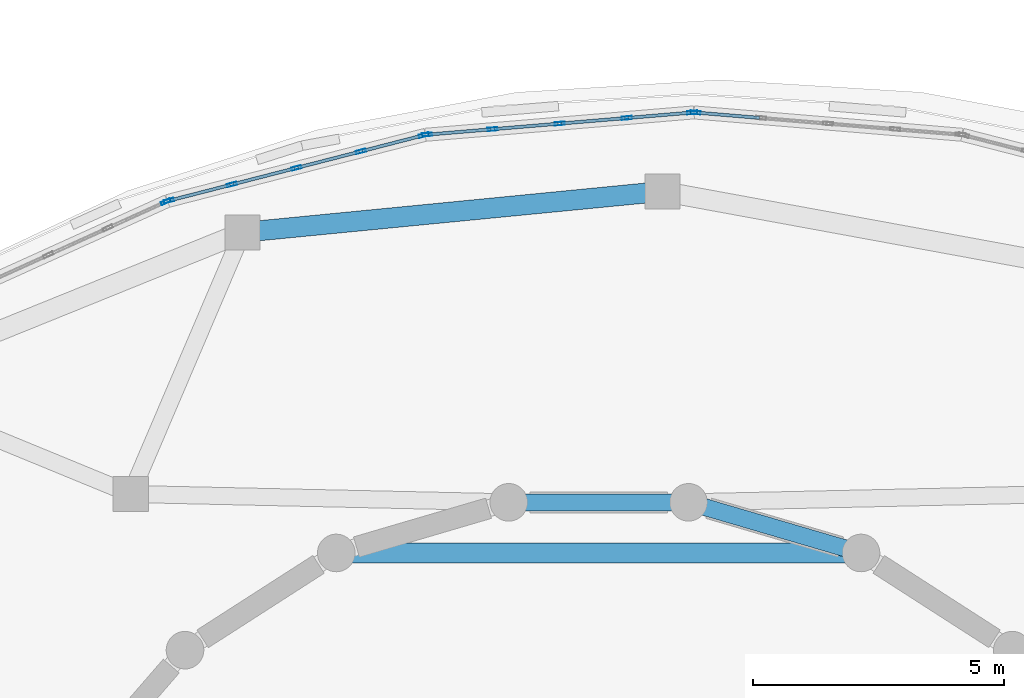
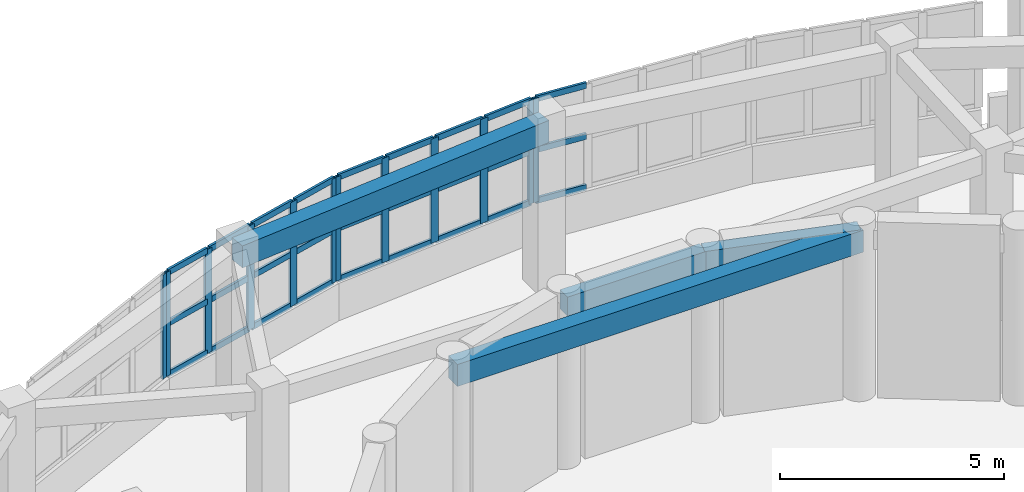
# One storey, part 44 of 98: 39 members, 4 beams, 4 elements without a shape of their own.
"""IFC4 building model written with IfcOpenShell, lengths in metres."""

from ifc_helpers import new_model, si_unit, direction, frame, origin, origin_2d, place, context, subcontext, project, spatial, rectangle, hollow_rectangle, extrude, material, layer, layer_set, material_profile, profile_set, type_object, element, aggregate, save


model = new_model("IFC4")

# Units and contexts
model_context = context("Model", 3, precision=1e-05, world=origin(), true_north=direction((0.0, 1.0)))
body_context = subcontext(model_context, "Body", "Model", "MODEL_VIEW")
ifc_project = project(units=[si_unit("LENGTHUNIT", "METRE"), si_unit("AREAUNIT", "SQUARE_METRE"), si_unit("VOLUMEUNIT", "CUBIC_METRE"), si_unit("PLANEANGLEUNIT", "RADIAN"), si_unit("MASSUNIT", "GRAM", prefix="KILO")], contexts=[model_context])

# Site, building, storey
site_placement = place(None, origin())
site = spatial("IfcSite", under=ifc_project, at=site_placement, CompositionType="ELEMENT")
building_placement = place(site_placement, origin())
building = spatial("IfcBuilding", under=site, at=building_placement, Name="Pelvatis Terrace Science Centre", CompositionType="ELEMENT")
storey_placement = place(building_placement, frame((0.0, 0.0, 5.39990234375)))
storey = spatial("IfcBuildingStorey", under=building, at=storey_placement, Name="L01", CompositionType="ELEMENT", Elevation=5.39990234375)

# Beams
ifc_material_1 = material(Name="Concrete C35/45", Category="concrete")
ifc_material_profile_1 = material_profile(ifc_material_1, rectangle(XDim=0.340087890625, YDim=0.52001953125, at=origin_2d()), Name="RC-BM 340x520")
ifc_profile_set_1 = profile_set([ifc_material_profile_1], Name="Concrete C35/45")
beam_type_1 = type_object("IfcBeamType", Name="BM-RC-340x520", PredefinedType="BEAM", material=ifc_profile_set_1)
beam_1_placement = place(storey_placement, frame((114.43408203125, 97.261474609375, 4.280029296875), z_axis=(-0.959499815423, 0.281709254734, 0.0), x_axis=(-0.281709254734, -0.959499815423, 0.0)))
element("IfcBeam", 1, at=beam_1_placement, inside=storey, type_object=beam_type_1, Name="Beam BM-L01-2543", PredefinedType="BEAM", context=body_context, shape_type="SweptSolid", body=[
    extrude(rectangle(XDim=0.340087890625, YDim=0.52001953125, at=origin_2d()), origin(), (0.0, 0.0, 1.0), 3.586181640625),
])
beam_2_placement = place(storey_placement, frame((110.9931640625, 98.271728515625, 4.280029296875), z_axis=(-1.0, 0.0, 0.0), x_axis=(0.0, -1.0, 0.0)))
element("IfcBeam", 2, at=beam_2_placement, inside=storey, type_object=beam_type_1, Name="Beam BM-L01-2545", PredefinedType="BEAM", context=body_context, shape_type="SweptSolid", body=[
    extrude(rectangle(XDim=0.340087890625, YDim=0.52001953125, at=origin_2d()), origin(), (0.0, 0.0, 1.0), 3.58642578125),
])
ifc_material_2 = material(Name="Concrete C35/45", Category="concrete")
ifc_material_profile_2 = material_profile(ifc_material_2, rectangle(XDim=0.39990234375, YDim=0.60009765625, at=origin_2d()), Name="RC-BM 400x600")
ifc_profile_set_2 = profile_set([ifc_material_profile_2], Name="Concrete C35/45")
beam_type_2 = type_object("IfcBeamType", Name="BM-RC-400x600", PredefinedType="BEAM", material=ifc_profile_set_2)
beam_3_placement = place(storey_placement, frame((114.43408203125, 97.261474609375, 4.239990234375), z_axis=(-1.0, 0.0, 0.0), x_axis=(0.0, -1.0, 0.0)))
element("IfcBeam", 3, at=beam_3_placement, inside=storey, type_object=beam_type_2, Name="Beam BM-L01-2544", PredefinedType="BEAM", context=body_context, shape_type="SweptSolid", body=[
    extrude(rectangle(XDim=0.39990234375, YDim=0.60009765625, at=origin_2d()), origin(), (0.0, 0.0, 1.0), 10.46826171875),
])
beam_4_placement = place(storey_placement, frame((110.4716796875, 104.4736328125, 4.239990234375), z_axis=(-0.995278052194, -0.097064920652, 0.0), x_axis=(0.097064920652, -0.995278052194, 0.0)))
element("IfcBeam", 4, at=beam_4_placement, inside=storey, type_object=beam_type_2, Name="Beam BM-L01-2630", PredefinedType="BEAM", context=body_context, shape_type="SweptSolid", body=[
    extrude(rectangle(XDim=0.39990234375, YDim=0.60009765625, at=origin_2d()), origin(), (0.0, 0.0, 1.0), 8.416015625),
])

# Curtain wall, member
ifc_material_3 = material(Name="Bronze-anodised aluminium and laminated glass", Category="aluminium")
ifc_layer = layer(ifc_material_3, 0.199951171875)
ifc_layer_set = layer_set([ifc_layer], Name="Bronze-anodised aluminium and laminated glass")
curtain_wall_type = type_object("IfcCurtainWallType", Name="CW-RIBBON-B", PredefinedType="NOTDEFINED", material=ifc_layer_set)
curtain_wall_1_placement = place(storey_placement, origin())
curtain_wall_1 = element("IfcCurtainWall", 5, at=curtain_wall_1_placement, inside=storey, type_object=curtain_wall_type, Name="Ribbon curtain wall CW-132 (L01)", PredefinedType="NOTDEFINED")
ifc_material_4 = material(Name="Bronze-anodised aluminium 6063-T6", Category="aluminium")
ifc_material_profile_3 = material_profile(ifc_material_4, hollow_rectangle(XDim=0.06494140625, YDim=0.199951171875, WallThickness=0.00439453125, at=origin_2d()), Name="ALU-MUL 65x200")
ifc_profile_set_3 = profile_set([ifc_material_profile_3], Name="Bronze-anodised aluminium 6063-T6")
member_type_1 = type_object("IfcMemberType", Name="CWM-65x200", PredefinedType="MULLION", material=ifc_profile_set_3)
member_1_placement = place(storey_placement, frame((111.13232421875, 106.04736328125, 1.02001953125), z_axis=(0.0, 0.0, 1.0), x_axis=(-0.083125561645, -0.996539081522, 0.0)))
member_1 = element("IfcMember", 6, at=member_1_placement, type_object=member_type_1, Name="CW-132 mullion 5", PredefinedType="MULLION", context=body_context, shape_type="SweptSolid", body=[
    extrude(hollow_rectangle(XDim=0.06494140625, YDim=0.199951171875, WallThickness=0.00439453125, at=origin_2d()), origin(), (0.0, 0.0, 1.0), 2.840087890625),
])

# Curtain wall, members
curtain_wall_2_placement = place(storey_placement, origin())
curtain_wall_2 = element("IfcCurtainWall", 7, at=curtain_wall_2_placement, inside=storey, type_object=curtain_wall_type, Name="Ribbon curtain wall CW-133 (L01)", PredefinedType="NOTDEFINED")
member_2_placement = place(storey_placement, frame((111.067626953125, 106.04736328125, 1.02001953125), z_axis=(0.0, 0.0, 1.0), x_axis=(0.083125561645, -0.996539081522, 0.0)))
member_2 = element("IfcMember", 8, at=member_2_placement, type_object=member_type_1, Name="CW-133 mullion 1", PredefinedType="MULLION", context=body_context, shape_type="SweptSolid", body=[
    extrude(hollow_rectangle(XDim=0.06494140625, YDim=0.199951171875, WallThickness=0.00439453125, at=origin_2d()), origin(), (0.0, 0.0, 1.0), 2.840087890625),
])
member_3_placement = place(storey_placement, frame((109.76123046875, 105.938232421875, 1.02001953125), z_axis=(0.0, 0.0, 1.0), x_axis=(0.083125561645, -0.996539081522, 0.0)))
member_3 = element("IfcMember", 9, at=member_3_placement, type_object=member_type_1, Name="CW-133 mullion 2", PredefinedType="MULLION", context=body_context, shape_type="SweptSolid", body=[
    extrude(hollow_rectangle(XDim=0.06494140625, YDim=0.199951171875, WallThickness=0.00439453125, at=origin_2d()), origin(), (0.0, 0.0, 1.0), 2.840087890625),
])
member_4_placement = place(storey_placement, frame((108.42236328125, 105.82666015625, 1.02001953125), z_axis=(0.0, 0.0, 1.0), x_axis=(0.083125561645, -0.996539081522, 0.0)))
member_4 = element("IfcMember", 10, at=member_4_placement, type_object=member_type_1, Name="CW-133 mullion 3", PredefinedType="MULLION", context=body_context, shape_type="SweptSolid", body=[
    extrude(hollow_rectangle(XDim=0.06494140625, YDim=0.199951171875, WallThickness=0.00439453125, at=origin_2d()), origin(), (0.0, 0.0, 1.0), 2.840087890625),
])
member_5_placement = place(storey_placement, frame((107.08349609375, 105.715087890625, 1.02001953125), z_axis=(0.0, 0.0, 1.0), x_axis=(0.083125561645, -0.996539081522, 0.0)))
member_5 = element("IfcMember", 11, at=member_5_placement, type_object=member_type_1, Name="CW-133 mullion 4", PredefinedType="MULLION", context=body_context, shape_type="SweptSolid", body=[
    extrude(hollow_rectangle(XDim=0.06494140625, YDim=0.199951171875, WallThickness=0.00439453125, at=origin_2d()), origin(), (0.0, 0.0, 1.0), 2.840087890625),
])
member_6_placement = place(storey_placement, frame((105.777099609375, 105.60595703125, 1.02001953125), z_axis=(0.0, 0.0, 1.0), x_axis=(0.083125561645, -0.996539081522, 0.0)))
member_6 = element("IfcMember", 12, at=member_6_placement, type_object=member_type_1, Name="CW-133 mullion 5", PredefinedType="MULLION", context=body_context, shape_type="SweptSolid", body=[
    extrude(hollow_rectangle(XDim=0.06494140625, YDim=0.199951171875, WallThickness=0.00439453125, at=origin_2d()), origin(), (0.0, 0.0, 1.0), 2.840087890625),
])

curtain_wall_3_placement = place(storey_placement, origin())
curtain_wall_3 = element("IfcCurtainWall", 13, at=curtain_wall_3_placement, inside=storey, type_object=curtain_wall_type, Name="Ribbon curtain wall CW-134 (L01)", PredefinedType="NOTDEFINED")
member_7_placement = place(storey_placement, frame((105.71337890625, 105.59521484375, 1.02001953125), z_axis=(0.0, 0.0, 1.0), x_axis=(0.248854534923, -0.968540871852, 0.0)))
member_7 = element("IfcMember", 14, at=member_7_placement, type_object=member_type_1, Name="CW-134 mullion 1", PredefinedType="MULLION", context=body_context, shape_type="SweptSolid", body=[
    extrude(hollow_rectangle(XDim=0.06494140625, YDim=0.199951171875, WallThickness=0.00439453125, at=origin_2d()), origin(), (0.0, 0.0, 1.0), 2.840087890625),
])
member_8_placement = place(storey_placement, frame((104.45751953125, 105.2724609375, 1.02001953125), z_axis=(0.0, 0.0, 1.0), x_axis=(0.248854534923, -0.968540871852, 0.0)))
member_8 = element("IfcMember", 15, at=member_8_placement, type_object=member_type_1, Name="CW-134 mullion 2", PredefinedType="MULLION", context=body_context, shape_type="SweptSolid", body=[
    extrude(hollow_rectangle(XDim=0.06494140625, YDim=0.199951171875, WallThickness=0.00439453125, at=origin_2d()), origin(), (0.0, 0.0, 1.0), 2.840087890625),
])
member_9_placement = place(storey_placement, frame((103.170166015625, 104.941650390625, 1.02001953125), z_axis=(0.0, 0.0, 1.0), x_axis=(0.248854534923, -0.968540871852, 0.0)))
member_9 = element("IfcMember", 16, at=member_9_placement, type_object=member_type_1, Name="CW-134 mullion 3", PredefinedType="MULLION", context=body_context, shape_type="SweptSolid", body=[
    extrude(hollow_rectangle(XDim=0.06494140625, YDim=0.199951171875, WallThickness=0.00439453125, at=origin_2d()), origin(), (0.0, 0.0, 1.0), 2.840087890625),
])
member_10_placement = place(storey_placement, frame((101.882568359375, 104.611083984375, 1.02001953125), z_axis=(0.0, 0.0, 1.0), x_axis=(0.248854534923, -0.968540871852, 0.0)))
member_10 = element("IfcMember", 17, at=member_10_placement, type_object=member_type_1, Name="CW-134 mullion 4", PredefinedType="MULLION", context=body_context, shape_type="SweptSolid", body=[
    extrude(hollow_rectangle(XDim=0.06494140625, YDim=0.199951171875, WallThickness=0.00439453125, at=origin_2d()), origin(), (0.0, 0.0, 1.0), 2.840087890625),
])
member_11_placement = place(storey_placement, frame((100.626708984375, 104.288330078125, 1.02001953125), z_axis=(0.0, 0.0, 1.0), x_axis=(0.248854534923, -0.968540871852, 0.0)))
member_11 = element("IfcMember", 18, at=member_11_placement, type_object=member_type_1, Name="CW-134 mullion 5", PredefinedType="MULLION", context=body_context, shape_type="SweptSolid", body=[
    extrude(hollow_rectangle(XDim=0.06494140625, YDim=0.199951171875, WallThickness=0.00439453125, at=origin_2d()), origin(), (0.0, 0.0, 1.0), 2.840087890625),
])

# Curtain wall, member
curtain_wall_4_placement = place(storey_placement, origin())
curtain_wall_4 = element("IfcCurtainWall", 19, at=curtain_wall_4_placement, inside=storey, type_object=curtain_wall_type, Name="Ribbon curtain wall CW-135 (L01)", PredefinedType="NOTDEFINED")
member_12_placement = place(storey_placement, frame((100.565673828125, 104.266845703125, 1.02001953125), z_axis=(0.0, 0.0, 1.0), x_axis=(0.412428504596, -0.910989971732, 0.0)))
member_12 = element("IfcMember", 20, at=member_12_placement, type_object=member_type_1, Name="CW-135 mullion 1", PredefinedType="MULLION", context=body_context, shape_type="SweptSolid", body=[
    extrude(hollow_rectangle(XDim=0.06494140625, YDim=0.199951171875, WallThickness=0.00439453125, at=origin_2d()), origin(), (0.0, 0.0, 1.0), 2.840087890625),
])
aggregate(curtain_wall_4, [member_12])

# Member
ifc_material_5 = material(Name="Bronze-anodised aluminium 6063-T6", Category="aluminium")
ifc_material_profile_4 = material_profile(ifc_material_5, hollow_rectangle(XDim=0.06494140625, YDim=0.159912109375, WallThickness=0.00390625, at=origin_2d()), Name="ALU-TRN 65x160")
ifc_profile_set_4 = profile_set([ifc_material_profile_4], Name="Bronze-anodised aluminium 6063-T6")
member_type_2 = type_object("IfcMemberType", Name="CWT-65x160", PredefinedType="USERDEFINED", material=ifc_profile_set_4)
member_13_placement = place(storey_placement, frame((112.406494140625, 105.94091796875, 1.052490234375), z_axis=(-0.996526814499, 0.083272492364, 0.0), x_axis=(-0.083272492364, -0.996526814499, 0.0)))
member_13 = element("IfcMember", 21, at=member_13_placement, type_object=member_type_2, Name="CW-132 transom 4.1", ObjectType="TRANSOM", PredefinedType="USERDEFINED", context=body_context, shape_type="SweptSolid", body=[
    extrude(hollow_rectangle(XDim=0.06494140625, YDim=0.159912109375, WallThickness=0.00390625, at=origin_2d()), origin(), (0.0, 0.0, 1.0), 1.24609375),
])

member_14_placement = place(storey_placement, frame((112.406494140625, 105.94091796875, 2.440185546875), z_axis=(-0.996526814499, 0.083272492364, 0.0), x_axis=(-0.083272492364, -0.996526814499, 0.0)))
member_14 = element("IfcMember", 22, at=member_14_placement, type_object=member_type_2, Name="CW-132 transom 4.2", ObjectType="TRANSOM", PredefinedType="USERDEFINED", context=body_context, shape_type="SweptSolid", body=[
    extrude(hollow_rectangle(XDim=0.06494140625, YDim=0.159912109375, WallThickness=0.00390625, at=origin_2d()), origin(), (0.0, 0.0, 1.0), 1.24609375),
])

member_15_placement = place(storey_placement, frame((112.406494140625, 105.94091796875, 3.82763671875), z_axis=(-0.996526814499, 0.083272492364, 0.0), x_axis=(-0.083272492364, -0.996526814499, 0.0)))
member_15 = element("IfcMember", 23, at=member_15_placement, type_object=member_type_2, Name="CW-132 transom 4.3", ObjectType="TRANSOM", PredefinedType="USERDEFINED", context=body_context, shape_type="SweptSolid", body=[
    extrude(hollow_rectangle(XDim=0.06494140625, YDim=0.159912109375, WallThickness=0.00390625, at=origin_2d()), origin(), (0.0, 0.0, 1.0), 1.24609375),
])

aggregate(curtain_wall_1, [member_1, member_13, member_14, member_15])

member_16_placement = place(storey_placement, frame((111.03515625, 106.044677734375, 1.052490234375), z_axis=(-0.996525455425, -0.083288754878, 0.0), x_axis=(0.083288754878, -0.996525455425, 0.0)))
member_16 = element("IfcMember", 24, at=member_16_placement, type_object=member_type_2, Name="CW-133 transom 1.1", ObjectType="TRANSOM", PredefinedType="USERDEFINED", context=body_context, shape_type="SweptSolid", body=[
    extrude(hollow_rectangle(XDim=0.06494140625, YDim=0.159912109375, WallThickness=0.00390625, at=origin_2d()), origin(), (0.0, 0.0, 1.0), 1.245849609375),
])

member_17_placement = place(storey_placement, frame((111.03515625, 106.044677734375, 2.440185546875), z_axis=(-0.996525455425, -0.083288754878, 0.0), x_axis=(0.083288754878, -0.996525455425, 0.0)))
member_17 = element("IfcMember", 25, at=member_17_placement, type_object=member_type_2, Name="CW-133 transom 1.2", ObjectType="TRANSOM", PredefinedType="USERDEFINED", context=body_context, shape_type="SweptSolid", body=[
    extrude(hollow_rectangle(XDim=0.06494140625, YDim=0.159912109375, WallThickness=0.00390625, at=origin_2d()), origin(), (0.0, 0.0, 1.0), 1.245849609375),
])

member_18_placement = place(storey_placement, frame((111.03515625, 106.044677734375, 3.82763671875), z_axis=(-0.996525455425, -0.083288754878, 0.0), x_axis=(0.083288754878, -0.996525455425, 0.0)))
member_18 = element("IfcMember", 26, at=member_18_placement, type_object=member_type_2, Name="CW-133 transom 1.3", ObjectType="TRANSOM", PredefinedType="USERDEFINED", context=body_context, shape_type="SweptSolid", body=[
    extrude(hollow_rectangle(XDim=0.06494140625, YDim=0.159912109375, WallThickness=0.00390625, at=origin_2d()), origin(), (0.0, 0.0, 1.0), 1.245849609375),
])

member_19_placement = place(storey_placement, frame((109.728759765625, 105.935546875, 1.052490234375), z_axis=(-0.996543123512, -0.083077090596, 0.0), x_axis=(0.083077090596, -0.996543123512, 0.0)))
member_19 = element("IfcMember", 27, at=member_19_placement, type_object=member_type_2, Name="CW-133 transom 2.1", ObjectType="TRANSOM", PredefinedType="USERDEFINED", context=body_context, shape_type="SweptSolid", body=[
    extrude(hollow_rectangle(XDim=0.06494140625, YDim=0.159912109375, WallThickness=0.00390625, at=origin_2d()), origin(), (0.0, 0.0, 1.0), 1.2783203125),
])

member_20_placement = place(storey_placement, frame((109.728759765625, 105.935546875, 2.440185546875), z_axis=(-0.996543123512, -0.083077090596, 0.0), x_axis=(0.083077090596, -0.996543123512, 0.0)))
member_20 = element("IfcMember", 28, at=member_20_placement, type_object=member_type_2, Name="CW-133 transom 2.2", ObjectType="TRANSOM", PredefinedType="USERDEFINED", context=body_context, shape_type="SweptSolid", body=[
    extrude(hollow_rectangle(XDim=0.06494140625, YDim=0.159912109375, WallThickness=0.00390625, at=origin_2d()), origin(), (0.0, 0.0, 1.0), 1.2783203125),
])

member_21_placement = place(storey_placement, frame((109.728759765625, 105.935546875, 3.82763671875), z_axis=(-0.996543123512, -0.083077090596, 0.0), x_axis=(0.083077090596, -0.996543123512, 0.0)))
member_21 = element("IfcMember", 29, at=member_21_placement, type_object=member_type_2, Name="CW-133 transom 2.3", ObjectType="TRANSOM", PredefinedType="USERDEFINED", context=body_context, shape_type="SweptSolid", body=[
    extrude(hollow_rectangle(XDim=0.06494140625, YDim=0.159912109375, WallThickness=0.00390625, at=origin_2d()), origin(), (0.0, 0.0, 1.0), 1.2783203125),
])

member_22_placement = place(storey_placement, frame((108.389892578125, 105.823974609375, 1.052490234375), z_axis=(-0.996543123512, -0.083077090596, 0.0), x_axis=(0.083077090596, -0.996543123512, 0.0)))
member_22 = element("IfcMember", 30, at=member_22_placement, type_object=member_type_2, Name="CW-133 transom 3.1", ObjectType="TRANSOM", PredefinedType="USERDEFINED", context=body_context, shape_type="SweptSolid", body=[
    extrude(hollow_rectangle(XDim=0.06494140625, YDim=0.159912109375, WallThickness=0.00390625, at=origin_2d()), origin(), (0.0, 0.0, 1.0), 1.2783203125),
])

member_23_placement = place(storey_placement, frame((108.389892578125, 105.823974609375, 2.440185546875), z_axis=(-0.996543123512, -0.083077090596, 0.0), x_axis=(0.083077090596, -0.996543123512, 0.0)))
member_23 = element("IfcMember", 31, at=member_23_placement, type_object=member_type_2, Name="CW-133 transom 3.2", ObjectType="TRANSOM", PredefinedType="USERDEFINED", context=body_context, shape_type="SweptSolid", body=[
    extrude(hollow_rectangle(XDim=0.06494140625, YDim=0.159912109375, WallThickness=0.00390625, at=origin_2d()), origin(), (0.0, 0.0, 1.0), 1.2783203125),
])

member_24_placement = place(storey_placement, frame((108.389892578125, 105.823974609375, 3.82763671875), z_axis=(-0.996543123512, -0.083077090596, 0.0), x_axis=(0.083077090596, -0.996543123512, 0.0)))
member_24 = element("IfcMember", 32, at=member_24_placement, type_object=member_type_2, Name="CW-133 transom 3.3", ObjectType="TRANSOM", PredefinedType="USERDEFINED", context=body_context, shape_type="SweptSolid", body=[
    extrude(hollow_rectangle(XDim=0.06494140625, YDim=0.159912109375, WallThickness=0.00390625, at=origin_2d()), origin(), (0.0, 0.0, 1.0), 1.2783203125),
])

member_25_placement = place(storey_placement, frame((107.05126953125, 105.712158203125, 1.052490234375), z_axis=(-0.996543055118, -0.083077911005, 0.0), x_axis=(0.083077911005, -0.996543055118, 0.0)))
member_25 = element("IfcMember", 33, at=member_25_placement, type_object=member_type_2, Name="CW-133 transom 4.1", ObjectType="TRANSOM", PredefinedType="USERDEFINED", context=body_context, shape_type="SweptSolid", body=[
    extrude(hollow_rectangle(XDim=0.06494140625, YDim=0.159912109375, WallThickness=0.00390625, at=origin_2d()), origin(), (0.0, 0.0, 1.0), 1.24609375),
])

member_26_placement = place(storey_placement, frame((107.05126953125, 105.712158203125, 2.440185546875), z_axis=(-0.996543055118, -0.083077911005, 0.0), x_axis=(0.083077911005, -0.996543055118, 0.0)))
member_26 = element("IfcMember", 34, at=member_26_placement, type_object=member_type_2, Name="CW-133 transom 4.2", ObjectType="TRANSOM", PredefinedType="USERDEFINED", context=body_context, shape_type="SweptSolid", body=[
    extrude(hollow_rectangle(XDim=0.06494140625, YDim=0.159912109375, WallThickness=0.00390625, at=origin_2d()), origin(), (0.0, 0.0, 1.0), 1.24609375),
])

member_27_placement = place(storey_placement, frame((107.05126953125, 105.712158203125, 3.82763671875), z_axis=(-0.996543055118, -0.083077911005, 0.0), x_axis=(0.083077911005, -0.996543055118, 0.0)))
member_27 = element("IfcMember", 35, at=member_27_placement, type_object=member_type_2, Name="CW-133 transom 4.3", ObjectType="TRANSOM", PredefinedType="USERDEFINED", context=body_context, shape_type="SweptSolid", body=[
    extrude(hollow_rectangle(XDim=0.06494140625, YDim=0.159912109375, WallThickness=0.00390625, at=origin_2d()), origin(), (0.0, 0.0, 1.0), 1.24609375),
])

aggregate(curtain_wall_2, [member_2, member_3, member_4, member_5, member_6, member_16, member_17, member_18, member_19, member_20, member_21, member_22, member_23, member_24, member_25, member_26, member_27])

member_28_placement = place(storey_placement, frame((105.681884765625, 105.587158203125, 1.052490234375), z_axis=(-0.96851205375, -0.248966667931, 0.0), x_axis=(0.248966667931, -0.96851205375, 0.0)))
member_28 = element("IfcMember", 36, at=member_28_placement, type_object=member_type_2, Name="CW-134 transom 1.1", ObjectType="TRANSOM", PredefinedType="USERDEFINED", context=body_context, shape_type="SweptSolid", body=[
    extrude(hollow_rectangle(XDim=0.06494140625, YDim=0.159912109375, WallThickness=0.00390625, at=origin_2d()), origin(), (0.0, 0.0, 1.0), 1.231689453125),
])

member_29_placement = place(storey_placement, frame((105.681884765625, 105.587158203125, 2.440185546875), z_axis=(-0.96851205375, -0.248966667931, 0.0), x_axis=(0.248966667931, -0.96851205375, 0.0)))
member_29 = element("IfcMember", 37, at=member_29_placement, type_object=member_type_2, Name="CW-134 transom 1.2", ObjectType="TRANSOM", PredefinedType="USERDEFINED", context=body_context, shape_type="SweptSolid", body=[
    extrude(hollow_rectangle(XDim=0.06494140625, YDim=0.159912109375, WallThickness=0.00390625, at=origin_2d()), origin(), (0.0, 0.0, 1.0), 1.231689453125),
])

member_30_placement = place(storey_placement, frame((105.681884765625, 105.587158203125, 3.82763671875), z_axis=(-0.96851205375, -0.248966667931, 0.0), x_axis=(0.248966667931, -0.96851205375, 0.0)))
member_30 = element("IfcMember", 38, at=member_30_placement, type_object=member_type_2, Name="CW-134 transom 1.3", ObjectType="TRANSOM", PredefinedType="USERDEFINED", context=body_context, shape_type="SweptSolid", body=[
    extrude(hollow_rectangle(XDim=0.06494140625, YDim=0.159912109375, WallThickness=0.00390625, at=origin_2d()), origin(), (0.0, 0.0, 1.0), 1.231689453125),
])

member_31_placement = place(storey_placement, frame((104.426025390625, 105.264404296875, 1.052490234375), z_axis=(-0.968578040036, -0.248709831652, 0.0), x_axis=(0.248709831652, -0.968578040036, 0.0)))
member_31 = element("IfcMember", 39, at=member_31_placement, type_object=member_type_2, Name="CW-134 transom 2.1", ObjectType="TRANSOM", PredefinedType="USERDEFINED", context=body_context, shape_type="SweptSolid", body=[
    extrude(hollow_rectangle(XDim=0.06494140625, YDim=0.159912109375, WallThickness=0.00390625, at=origin_2d()), origin(), (0.0, 0.0, 1.0), 1.264404296875),
])

member_32_placement = place(storey_placement, frame((104.426025390625, 105.264404296875, 2.440185546875), z_axis=(-0.968578040036, -0.248709831652, 0.0), x_axis=(0.248709831652, -0.968578040036, 0.0)))
member_32 = element("IfcMember", 40, at=member_32_placement, type_object=member_type_2, Name="CW-134 transom 2.2", ObjectType="TRANSOM", PredefinedType="USERDEFINED", context=body_context, shape_type="SweptSolid", body=[
    extrude(hollow_rectangle(XDim=0.06494140625, YDim=0.159912109375, WallThickness=0.00390625, at=origin_2d()), origin(), (0.0, 0.0, 1.0), 1.264404296875),
])

member_33_placement = place(storey_placement, frame((104.426025390625, 105.264404296875, 3.82763671875), z_axis=(-0.968578040036, -0.248709831652, 0.0), x_axis=(0.248709831652, -0.968578040036, 0.0)))
member_33 = element("IfcMember", 41, at=member_33_placement, type_object=member_type_2, Name="CW-134 transom 2.3", ObjectType="TRANSOM", PredefinedType="USERDEFINED", context=body_context, shape_type="SweptSolid", body=[
    extrude(hollow_rectangle(XDim=0.06494140625, YDim=0.159912109375, WallThickness=0.00390625, at=origin_2d()), origin(), (0.0, 0.0, 1.0), 1.264404296875),
])

member_34_placement = place(storey_placement, frame((103.138671875, 104.93359375, 1.052490234375), z_axis=(-0.968578040036, -0.248709831652, 0.0), x_axis=(0.248709831652, -0.968578040036, 0.0)))
member_34 = element("IfcMember", 42, at=member_34_placement, type_object=member_type_2, Name="CW-134 transom 3.1", ObjectType="TRANSOM", PredefinedType="USERDEFINED", context=body_context, shape_type="SweptSolid", body=[
    extrude(hollow_rectangle(XDim=0.06494140625, YDim=0.159912109375, WallThickness=0.00390625, at=origin_2d()), origin(), (0.0, 0.0, 1.0), 1.264404296875),
])

member_35_placement = place(storey_placement, frame((103.138671875, 104.93359375, 2.440185546875), z_axis=(-0.968578040036, -0.248709831652, 0.0), x_axis=(0.248709831652, -0.968578040036, 0.0)))
member_35 = element("IfcMember", 43, at=member_35_placement, type_object=member_type_2, Name="CW-134 transom 3.2", ObjectType="TRANSOM", PredefinedType="USERDEFINED", context=body_context, shape_type="SweptSolid", body=[
    extrude(hollow_rectangle(XDim=0.06494140625, YDim=0.159912109375, WallThickness=0.00390625, at=origin_2d()), origin(), (0.0, 0.0, 1.0), 1.264404296875),
])

member_36_placement = place(storey_placement, frame((103.138671875, 104.93359375, 3.82763671875), z_axis=(-0.968578040036, -0.248709831652, 0.0), x_axis=(0.248709831652, -0.968578040036, 0.0)))
member_36 = element("IfcMember", 44, at=member_36_placement, type_object=member_type_2, Name="CW-134 transom 3.3", ObjectType="TRANSOM", PredefinedType="USERDEFINED", context=body_context, shape_type="SweptSolid", body=[
    extrude(hollow_rectangle(XDim=0.06494140625, YDim=0.159912109375, WallThickness=0.00390625, at=origin_2d()), origin(), (0.0, 0.0, 1.0), 1.264404296875),
])

member_37_placement = place(storey_placement, frame((101.851318359375, 104.602783203125, 1.052490234375), z_axis=(-0.968572100337, -0.248732962129, 0.0), x_axis=(0.248732962129, -0.968572100337, 0.0)))
member_37 = element("IfcMember", 45, at=member_37_placement, type_object=member_type_2, Name="CW-134 transom 4.1", ObjectType="TRANSOM", PredefinedType="USERDEFINED", context=body_context, shape_type="SweptSolid", body=[
    extrude(hollow_rectangle(XDim=0.06494140625, YDim=0.159912109375, WallThickness=0.00390625, at=origin_2d()), origin(), (0.0, 0.0, 1.0), 1.23193359375),
])

member_38_placement = place(storey_placement, frame((101.851318359375, 104.602783203125, 2.440185546875), z_axis=(-0.968572100337, -0.248732962129, 0.0), x_axis=(0.248732962129, -0.968572100337, 0.0)))
member_38 = element("IfcMember", 46, at=member_38_placement, type_object=member_type_2, Name="CW-134 transom 4.2", ObjectType="TRANSOM", PredefinedType="USERDEFINED", context=body_context, shape_type="SweptSolid", body=[
    extrude(hollow_rectangle(XDim=0.06494140625, YDim=0.159912109375, WallThickness=0.00390625, at=origin_2d()), origin(), (0.0, 0.0, 1.0), 1.23193359375),
])

member_39_placement = place(storey_placement, frame((101.851318359375, 104.602783203125, 3.82763671875), z_axis=(-0.968572100337, -0.248732962129, 0.0), x_axis=(0.248732962129, -0.968572100337, 0.0)))
member_39 = element("IfcMember", 47, at=member_39_placement, type_object=member_type_2, Name="CW-134 transom 4.3", ObjectType="TRANSOM", PredefinedType="USERDEFINED", context=body_context, shape_type="SweptSolid", body=[
    extrude(hollow_rectangle(XDim=0.06494140625, YDim=0.159912109375, WallThickness=0.00390625, at=origin_2d()), origin(), (0.0, 0.0, 1.0), 1.23193359375),
])

aggregate(curtain_wall_3, [member_7, member_8, member_9, member_10, member_11, member_28, member_29, member_30, member_31, member_32, member_33, member_34, member_35, member_36, member_37, member_38, member_39])

save(model, "model.ifc")
